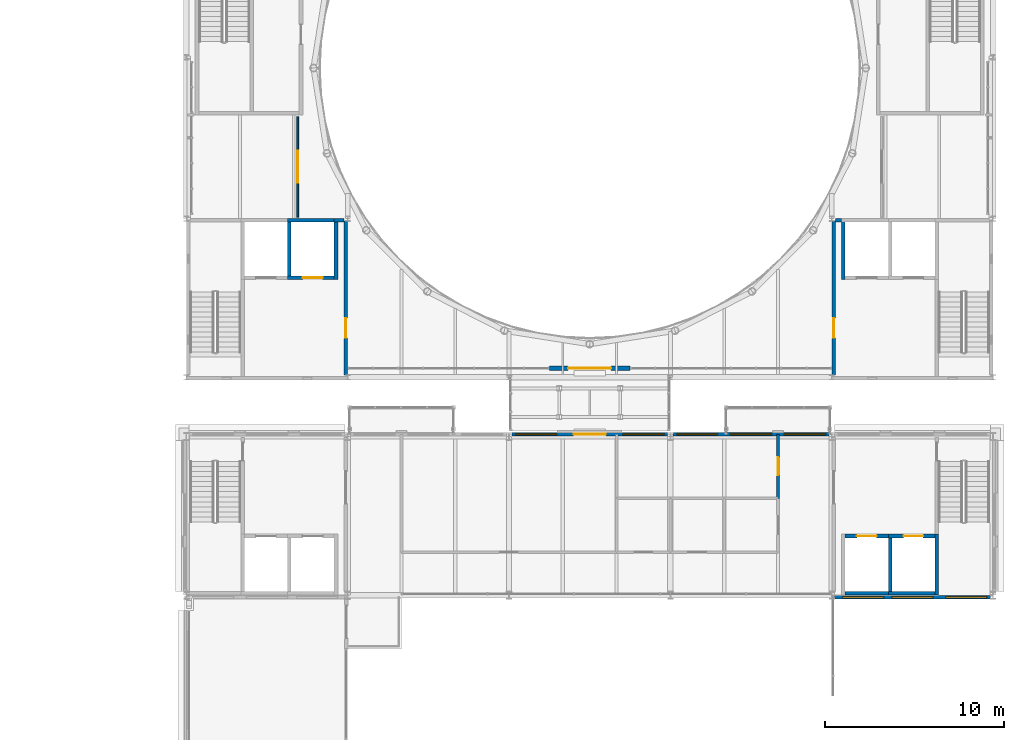
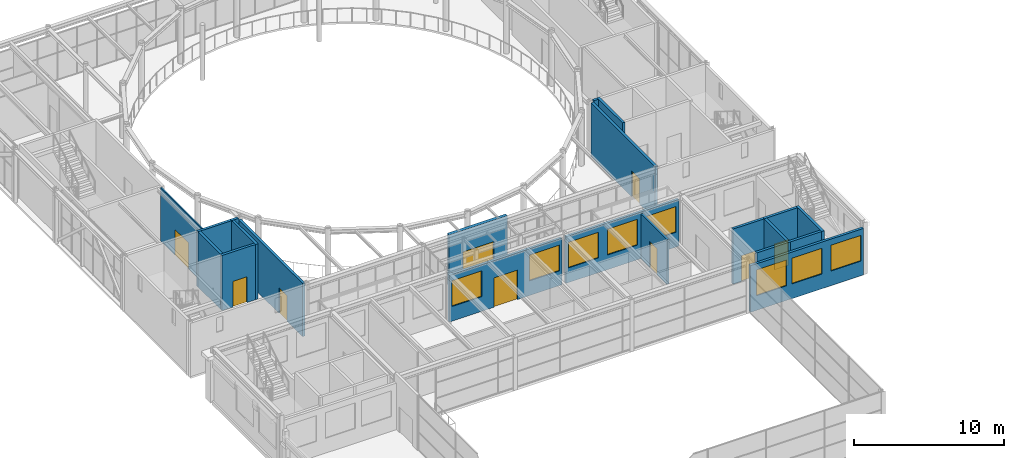
# One storey, part 53 of 70: 21 walls, 9 doors, 8 windows, 17 openings.
"""IFC4 building model written with IfcOpenShell, lengths in metres."""

from ifc_helpers import new_model, si_unit, direction, frame, frame_2d, origin, place, context, subcontext, project, spatial, rectangle, extrude, material, layer, layer_set, type_object, element, fill, save


model = new_model("IFC4")

# Units and contexts
model_context = context("Model", 3, precision=1e-05, world=origin(), true_north=direction((0.0, 1.0)))
body_context = subcontext(model_context, "Body", "Model", "MODEL_VIEW")
ifc_project = project(units=[si_unit("LENGTHUNIT", "METRE"), si_unit("AREAUNIT", "SQUARE_METRE"), si_unit("VOLUMEUNIT", "CUBIC_METRE"), si_unit("PLANEANGLEUNIT", "RADIAN"), si_unit("MASSUNIT", "GRAM", prefix="KILO")], contexts=[model_context])

# Site, building, storey
site_placement = place(None, origin())
site = spatial("IfcSite", under=ifc_project, at=site_placement, CompositionType="ELEMENT")
building_placement = place(site_placement, origin())
building = spatial("IfcBuilding", under=site, at=building_placement, Name="Kallimachos Central Library", CompositionType="ELEMENT")
storey_placement = place(building_placement, frame((0.0, 0.0, 18.89990234375)))
storey = spatial("IfcBuildingStorey", under=building, at=storey_placement, Name="L04", CompositionType="ELEMENT", Elevation=18.89990234375)

# Wall, opening, door
ifc_material_1 = material(Name="Concrete C30/37", Category="concrete")
ifc_layer_1 = layer(ifc_material_1, 0.199951171875)
ifc_layer_set_1 = layer_set([ifc_layer_1], Name="Core wall 200")
wall_type_1 = type_object("IfcWallType", Name="Core wall 200", PredefinedType="SOLIDWALL", material=ifc_layer_set_1)
wall_1_placement = place(storey_placement, frame((74.39990234375, 87.2900390625, 0.0), z_axis=(0.0, 0.0, 1.0), x_axis=(0.0, 1.0, 0.0)))
wall_1 = element("IfcWall", 1, at=wall_1_placement, inside=storey, type_object=wall_type_1, Name="Core wall V1-SW E", PredefinedType="SOLIDWALL", context=body_context, shape_type="SweptSolid", body=[
    extrude(rectangle(XDim=8.570068359375, YDim=0.199951171875, at=frame_2d((4.28515625, 0.0))), origin(), (0.0, 0.0, 1.0), 4.35009765625),
])
opening_1_placement = place(wall_1_placement, frame((2.06005859375, 0.0, 0.0)))
opening_1 = element("IfcOpeningElement", 2, at=opening_1_placement, cuts=wall_1, Name="Opening D224", PredefinedType="OPENING", context=body_context, shape_type="SweptSolid", body=[
    extrude(rectangle(XDim=1.10009765625, YDim=2.10009765625, at=frame_2d((0.550048828125, 1.050048828125))), frame((0.0, 0.10986328125, 0.0), z_axis=(0.0, -1.0, 0.0), x_axis=(1.0, 0.0, 0.0)), (0.0, 0.0, 1.0), 0.219970703125),
])
ifc_material_2 = material(Name="Steel fire door", Category="steel")
door_type_1 = type_object("IfcDoorType", Name="Fire door EI2 90 1100 x 2100", OperationType="NOTDEFINED", PredefinedType="DOOR", material=ifc_material_2)
door_1_placement = place(opening_1_placement, origin())
door_1 = element("IfcDoor", 3, at=door_1_placement, inside=storey, type_object=door_type_1, Name="V1-DOR-L04-006", OperationType="SINGLE_SWING_RIGHT", OverallHeight=2.10009765625, OverallWidth=1.10009765625, PredefinedType="DOOR", context=body_context, shape_type="SweptSolid", body=[
    extrude(rectangle(XDim=1.10009765625, YDim=2.10009765625, at=frame_2d((0.550048828125, 1.050048828125))), frame((0.0, 0.02490234375, 0.0), z_axis=(0.0, -1.0, 0.0), x_axis=(1.0, 0.0, 0.0)), (0.0, 0.0, 1.0), 0.050048828125),
])
fill(opening_1, door_1)

# Wall
wall_2_placement = place(storey_placement, frame((73.75, 95.89990234375, 0.0), z_axis=(0.0, 0.0, 1.0), x_axis=(1.0, 0.0, 0.0)))
element("IfcWall", 4, at=wall_2_placement, inside=storey, type_object=wall_type_1, Name="Core wall V1-SW N", PredefinedType="SOLIDWALL", context=body_context, shape_type="SweptSolid", body=[
    extrude(rectangle(XDim=0.550048828125, YDim=0.199951171875, at=frame_2d((0.27490234375, 0.0))), origin(), (0.0, 0.0, 1.0), 4.5),
])

# Wall, opening, door
wall_3_placement = place(storey_placement, frame((101.60009765625, 87.2900390625, 0.0), z_axis=(0.0, 0.0, 1.0), x_axis=(0.0, 1.0, 0.0)))
wall_3 = element("IfcWall", 5, at=wall_3_placement, inside=storey, type_object=wall_type_1, Name="Core wall V1-SE W", PredefinedType="SOLIDWALL", context=body_context, shape_type="SweptSolid", body=[
    extrude(rectangle(XDim=8.570068359375, YDim=0.199951171875, at=frame_2d((4.28515625, 0.0))), origin(), (0.0, 0.0, 1.0), 4.35009765625),
])
opening_2_placement = place(wall_3_placement, frame((2.06005859375, 0.0, 0.0)))
opening_2 = element("IfcOpeningElement", 6, at=opening_2_placement, cuts=wall_3, Name="Opening D230", PredefinedType="OPENING", context=body_context, shape_type="SweptSolid", body=[
    extrude(rectangle(XDim=1.10009765625, YDim=2.10009765625, at=frame_2d((0.550048828125, 1.050048828125))), frame((0.0, 0.10986328125, 0.0), z_axis=(0.0, -1.0, 0.0), x_axis=(1.0, 0.0, 0.0)), (0.0, 0.0, 1.0), 0.219970703125),
])
door_2_placement = place(opening_2_placement, frame((1.10009765625, 0.0, 0.0), z_axis=(0.0, 0.0, 1.0), x_axis=(-1.0, 0.0, 0.0)))
door_2 = element("IfcDoor", 7, at=door_2_placement, inside=storey, type_object=door_type_1, Name="V1-DOR-L04-007", OperationType="SINGLE_SWING_LEFT", OverallHeight=2.10009765625, OverallWidth=1.10009765625, PredefinedType="DOOR", context=body_context, shape_type="SweptSolid", body=[
    extrude(rectangle(XDim=1.10009765625, YDim=2.10009765625, at=frame_2d((0.550048828125, 1.050048828125))), frame((0.0, 0.02490234375, 0.0), z_axis=(0.0, -1.0, 0.0), x_axis=(1.0, 0.0, 0.0)), (0.0, 0.0, 1.0), 0.050048828125),
])
fill(opening_2, door_2)

# Wall
wall_4_placement = place(storey_placement, frame((101.699951171875, 95.89990234375, 0.0), z_axis=(0.0, 0.0, 1.0), x_axis=(1.0, 0.0, 0.0)))
element("IfcWall", 8, at=wall_4_placement, inside=storey, type_object=wall_type_1, Name="Core wall V1-SE N", PredefinedType="SOLIDWALL", context=body_context, shape_type="SweptSolid", body=[
    extrude(rectangle(XDim=0.35009765625, YDim=0.199951171875, at=frame_2d((0.175048828125, 0.0))), origin(), (0.0, 0.0, 1.0), 4.5),
])

# Wall, opening, door
ifc_material_3 = material(Name="Concrete C30/37", Category="concrete")
ifc_layer_2 = layer(ifc_material_3, 0.199951171875)
ifc_layer_set_2 = layer_set([ifc_layer_2], Name="Lift shaft wall 200")
wall_type_2 = type_object("IfcWallType", Name="Lift shaft wall 200", PredefinedType="SOLIDWALL", material=ifc_layer_set_2)
wall_5_placement = place(storey_placement, frame((104.64990234375, 78.300048828125, 0.0), z_axis=(0.0, 0.0, 1.0), x_axis=(1.0, 0.0, 0.0)))
wall_5 = element("IfcWall", 9, at=wall_5_placement, inside=storey, type_object=wall_type_2, Name="V4-WAL-L04-008", PredefinedType="SOLIDWALL", context=body_context, shape_type="SweptSolid", body=[
    extrude(rectangle(XDim=2.60009765625, YDim=0.199951171875, at=frame_2d((1.300048828125, 0.0))), origin(), (0.0, 0.0, 1.0), 4.5),
])
opening_3_placement = place(wall_5_placement, frame((0.85009765625, 0.0, 0.0)))
opening_3 = element("IfcOpeningElement", 10, at=opening_3_placement, cuts=wall_5, Name="Opening LD1100", PredefinedType="OPENING", context=body_context, shape_type="SweptSolid", body=[
    extrude(rectangle(XDim=1.10009765625, YDim=2.10009765625, at=frame_2d((0.550048828125, 1.050048828125))), frame((0.0, 0.10986328125, 0.0), z_axis=(0.0, -1.0, 0.0), x_axis=(1.0, 0.0, 0.0)), (0.0, 0.0, 1.0), 0.219970703125),
])
ifc_material_4 = material(Name="Stainless steel", Category="steel")
door_type_2 = type_object("IfcDoorType", Name="Lift landing door 1100 x 2100", OperationType="SLIDING_TO_LEFT", PredefinedType="DOOR", material=ifc_material_4)
door_3_placement = place(opening_3_placement, origin())
door_3 = element("IfcDoor", 11, at=door_3_placement, inside=storey, type_object=door_type_2, Name="LF9 landing door L04", OperationType="SLIDING_TO_LEFT", OverallHeight=2.10009765625, OverallWidth=1.10009765625, PredefinedType="DOOR", context=body_context, shape_type="SweptSolid", body=[
    extrude(rectangle(XDim=1.10009765625, YDim=2.10009765625, at=frame_2d((0.550048828125, 1.050048828125))), frame((0.0, 0.02490234375, 0.0), z_axis=(0.0, -1.0, 0.0), x_axis=(1.0, 0.0, 0.0)), (0.0, 0.0, 1.0), 0.050048828125),
])
fill(opening_3, door_3)

# Walls
wall_6_placement = place(storey_placement, frame((104.64990234375, 75.10009765625, 0.0), z_axis=(0.0, 0.0, 1.0), x_axis=(1.0, 0.0, 0.0)))
element("IfcWall", 12, at=wall_6_placement, inside=storey, type_object=wall_type_2, Name="V4-WAL-L04-009", PredefinedType="SOLIDWALL", context=body_context, shape_type="SweptSolid", body=[
    extrude(rectangle(XDim=2.60009765625, YDim=0.199951171875, at=frame_2d((1.300048828125, 0.0))), origin(), (0.0, 0.0, 1.0), 4.5),
])
for number, where, z_axis, x_axis, name in (
    (13, (104.75, 75.0, 0.0), (0.0, 0.0, 1.0), (0.0, 1.0, 0.0), "V4-WAL-L04-010"),
    (14, (107.35009765625, 75.0, 0.0), (0.0, 0.0, 1.0), (0.0, 1.0, 0.0), "V4-WAL-L04-011"),
):
    element("IfcWall", number, at=place(storey_placement, frame(where, z_axis=z_axis, x_axis=x_axis)), inside=storey, type_object=wall_type_2, Name=name, PredefinedType="SOLIDWALL", context=body_context, shape_type="SweptSolid", body=[
        extrude(rectangle(XDim=3.39990234375, YDim=0.199951171875, at=frame_2d((1.699951171875, 0.0))), origin(), (0.0, 0.0, 1.0), 4.5),
    ])

# Wall, opening, door
wall_7_placement = place(storey_placement, frame((102.25, 78.300048828125, 0.0), z_axis=(0.0, 0.0, 1.0), x_axis=(1.0, 0.0, 0.0)))
wall_7 = element("IfcWall", 15, at=wall_7_placement, inside=storey, type_object=wall_type_2, Name="V4-WAL-L04-012", PredefinedType="SOLIDWALL", context=body_context, shape_type="SweptSolid", body=[
    extrude(rectangle(XDim=2.39990234375, YDim=0.199951171875, at=frame_2d((1.199951171875, 0.0))), origin(), (0.0, 0.0, 1.0), 4.5),
])
opening_4_placement = place(wall_7_placement, frame((0.64990234375, 0.0, 0.0)))
opening_4 = element("IfcOpeningElement", 16, at=opening_4_placement, cuts=wall_7, Name="Opening LD1100", PredefinedType="OPENING", context=body_context, shape_type="SweptSolid", body=[
    extrude(rectangle(XDim=1.10009765625, YDim=2.10009765625, at=frame_2d((0.550048828125, 1.050048828125))), frame((0.0, 0.10986328125, 0.0), z_axis=(0.0, -1.0, 0.0), x_axis=(1.0, 0.0, 0.0)), (0.0, 0.0, 1.0), 0.219970703125),
])
door_4_placement = place(opening_4_placement, origin())
door_4 = element("IfcDoor", 17, at=door_4_placement, inside=storey, type_object=door_type_2, Name="LF10 landing door L04", OperationType="SLIDING_TO_LEFT", OverallHeight=2.10009765625, OverallWidth=1.10009765625, PredefinedType="DOOR", context=body_context, shape_type="SweptSolid", body=[
    extrude(rectangle(XDim=1.10009765625, YDim=2.10009765625, at=frame_2d((0.550048828125, 1.050048828125))), frame((0.0, 0.02490234375, 0.0), z_axis=(0.0, -1.0, 0.0), x_axis=(1.0, 0.0, 0.0)), (0.0, 0.0, 1.0), 0.050048828125),
])
fill(opening_4, door_4)

# Walls
wall_8_placement = place(storey_placement, frame((102.25, 75.10009765625, 0.0), z_axis=(0.0, 0.0, 1.0), x_axis=(1.0, 0.0, 0.0)))
element("IfcWall", 18, at=wall_8_placement, inside=storey, type_object=wall_type_2, Name="V4-WAL-L04-013", PredefinedType="SOLIDWALL", context=body_context, shape_type="SweptSolid", body=[
    extrude(rectangle(XDim=2.39990234375, YDim=0.199951171875, at=frame_2d((1.199951171875, 0.0))), origin(), (0.0, 0.0, 1.0), 4.5),
])
wall_9_placement = place(storey_placement, frame((71.25, 92.60009765625, 0.0), z_axis=(0.0, 0.0, 1.0), x_axis=(0.0, 1.0, 0.0)))
element("IfcWall", 19, at=wall_9_placement, inside=storey, type_object=wall_type_2, Name="V1-WAL-L04-004", PredefinedType="SOLIDWALL", context=body_context, shape_type="SweptSolid", body=[
    extrude(rectangle(XDim=3.39990234375, YDim=0.199951171875, at=frame_2d((1.699951171875, 0.0))), origin(), (0.0, 0.0, 1.0), 4.5),
])
wall_10_placement = place(storey_placement, frame((71.14990234375, 95.89990234375, 0.0), z_axis=(0.0, 0.0, 1.0), x_axis=(1.0, 0.0, 0.0)))
element("IfcWall", 20, at=wall_10_placement, inside=storey, type_object=wall_type_2, Name="V1-WAL-L04-005", PredefinedType="SOLIDWALL", context=body_context, shape_type="SweptSolid", body=[
    extrude(rectangle(XDim=2.60009765625, YDim=0.199951171875, at=frame_2d((1.300048828125, 0.0))), origin(), (0.0, 0.0, 1.0), 4.5),
])

# Wall, opening, door
wall_11_placement = place(storey_placement, frame((71.14990234375, 92.699951171875, 0.0), z_axis=(0.0, 0.0, 1.0), x_axis=(1.0, 0.0, 0.0)))
wall_11 = element("IfcWall", 21, at=wall_11_placement, inside=storey, type_object=wall_type_2, Name="V1-WAL-L04-006", PredefinedType="SOLIDWALL", context=body_context, shape_type="SweptSolid", body=[
    extrude(rectangle(XDim=2.60009765625, YDim=0.199951171875, at=frame_2d((1.300048828125, 0.0))), origin(), (0.0, 0.0, 1.0), 4.5),
])
opening_5_placement = place(wall_11_placement, frame((0.85009765625, 0.0, 0.0)))
opening_5 = element("IfcOpeningElement", 22, at=opening_5_placement, cuts=wall_11, Name="Opening LD1100", PredefinedType="OPENING", context=body_context, shape_type="SweptSolid", body=[
    extrude(rectangle(XDim=1.10009765625, YDim=2.10009765625, at=frame_2d((0.550048828125, 1.050048828125))), frame((0.0, 0.10986328125, 0.0), z_axis=(0.0, -1.0, 0.0), x_axis=(1.0, 0.0, 0.0)), (0.0, 0.0, 1.0), 0.219970703125),
])
door_5_placement = place(opening_5_placement, origin())
door_5 = element("IfcDoor", 23, at=door_5_placement, inside=storey, type_object=door_type_2, Name="LF2 landing door L04", OperationType="SLIDING_TO_LEFT", OverallHeight=2.10009765625, OverallWidth=1.10009765625, PredefinedType="DOOR", context=body_context, shape_type="SweptSolid", body=[
    extrude(rectangle(XDim=1.10009765625, YDim=2.10009765625, at=frame_2d((0.550048828125, 1.050048828125))), frame((0.0, 0.02490234375, 0.0), z_axis=(0.0, -1.0, 0.0), x_axis=(1.0, 0.0, 0.0)), (0.0, 0.0, 1.0), 0.050048828125),
])
fill(opening_5, door_5)

# Walls
for number, where, z_axis, x_axis, name in (
    (24, (73.85009765625, 92.60009765625, 0.0), (0.0, 0.0, 1.0), (0.0, 1.0, 0.0), "V1-WAL-L04-007"),
    (25, (102.14990234375, 92.60009765625, 0.0), (0.0, 0.0, 1.0), (0.0, 1.0, 0.0), "V1-WAL-L04-014"),
):
    element("IfcWall", number, at=place(storey_placement, frame(where, z_axis=z_axis, x_axis=x_axis)), inside=storey, type_object=wall_type_2, Name=name, PredefinedType="SOLIDWALL", context=body_context, shape_type="SweptSolid", body=[
        extrude(rectangle(XDim=3.39990234375, YDim=0.199951171875, at=frame_2d((1.699951171875, 0.0))), origin(), (0.0, 0.0, 1.0), 4.5),
    ])

# Wall, opening, door
ifc_material_5 = material(Name="Pentelic marble cladding on blockwork", Category="masonry")
ifc_layer_3 = layer(ifc_material_5, 0.25)
ifc_layer_set_3 = layer_set([ifc_layer_3], Name="Link portal wall 250")
wall_type_3 = type_object("IfcWallType", Name="Link portal wall 250", PredefinedType="SOLIDWALL", material=ifc_layer_set_3)
wall_12_placement = place(storey_placement, frame((85.75, 87.64990234375, 0.0), z_axis=(0.0, 0.0, 1.0), x_axis=(1.0, 0.0, 0.0)))
wall_12 = element("IfcWall", 26, at=wall_12_placement, inside=storey, type_object=wall_type_3, Name="V1-WAL-L04-015", PredefinedType="SOLIDWALL", context=body_context, shape_type="SweptSolid", body=[
    extrude(rectangle(XDim=4.5, YDim=0.25, at=frame_2d((2.25, 0.0))), origin(), (0.0, 0.0, 1.0), 4.150146484375),
])
opening_6_placement = place(wall_12_placement, frame((1.050048828125, 0.0, 0.0)))
opening_6 = element("IfcOpeningElement", 27, at=opening_6_placement, cuts=wall_12, Name="Opening D59", PredefinedType="OPENING", context=body_context, shape_type="SweptSolid", body=[
    extrude(rectangle(XDim=2.39990234375, YDim=2.39990234375, at=frame_2d((1.199951171875, 1.199951171875))), frame((0.0, 0.135009765625, 0.0), z_axis=(0.0, -1.0, 0.0), x_axis=(1.0, 0.0, 0.0)), (0.0, 0.0, 1.0), 0.27001953125),
])
ifc_material_6 = material(Name="Glass and anodised aluminium", Category="aluminium")
door_type_3 = type_object("IfcDoorType", Name="Glazed double door 2400 x 2400", OperationType="DOUBLE_DOOR_SINGLE_SWING", PredefinedType="DOOR", material=ifc_material_6)
door_6_placement = place(opening_6_placement, frame((2.39990234375, 0.0, 0.0), z_axis=(0.0, 0.0, 1.0), x_axis=(-1.0, 0.0, 0.0)))
door_6 = element("IfcDoor", 28, at=door_6_placement, inside=storey, type_object=door_type_3, Name="V1-DOR-L04-005", OperationType="DOUBLE_DOOR_SINGLE_SWING", OverallHeight=2.39990234375, OverallWidth=2.39990234375, PredefinedType="DOOR", context=body_context, shape_type="SweptSolid", body=[
    extrude(rectangle(XDim=2.39990234375, YDim=2.39990234375, at=frame_2d((1.199951171875, 1.199951171875))), frame((0.0, 0.02490234375, 0.0), z_axis=(0.0, -1.0, 0.0), x_axis=(1.0, 0.0, 0.0)), (0.0, 0.0, 1.0), 0.050048828125),
])
fill(opening_6, door_6)

ifc_material_7 = material(Name="Plasterboard on steel studs", Category="steel")
ifc_layer_4 = layer(ifc_material_7, 0.10009765625)
ifc_layer_set_4 = layer_set([ifc_layer_4], Name="Partition 100")
wall_type_4 = type_object("IfcWallType", Name="Partition 100", PredefinedType="PARTITIONING", material=ifc_layer_set_4)
wall_13_placement = place(storey_placement, frame((71.719970703125, 101.695068359375, 0.0), z_axis=(0.0, 0.0, 1.0), x_axis=(0.0, -1.0, 0.0)))
wall_13 = element("IfcWall", 29, at=wall_13_placement, inside=storey, type_object=wall_type_4, Name="Partition", PredefinedType="PARTITIONING", context=body_context, shape_type="SweptSolid", body=[
    extrude(rectangle(XDim=5.614990234375, YDim=0.10009765625, at=frame_2d((2.8076171875, 0.0))), origin(), (0.0, 0.0, 1.0), 4.35009765625),
])
opening_7_placement = place(wall_13_placement, frame((1.907470703125, 0.0, 0.0)))
opening_7 = element("IfcOpeningElement", 30, at=opening_7_placement, cuts=wall_13, Name="Opening D280", PredefinedType="OPENING", context=body_context, shape_type="SweptSolid", body=[
    extrude(rectangle(XDim=1.800048828125, YDim=2.10009765625, at=frame_2d((0.89990234375, 1.050048828125))), frame((0.0, 0.06005859375, 0.0), z_axis=(0.0, -1.0, 0.0), x_axis=(1.0, 0.0, 0.0)), (0.0, 0.0, 1.0), 0.1201171875),
])
ifc_material_8 = material(Name="Oak veneered door leaf")
door_type_4 = type_object("IfcDoorType", Name="Double leaf door EI2 30 1800 x 2100", OperationType="DOUBLE_DOOR_SINGLE_SWING", PredefinedType="DOOR", material=ifc_material_8)
door_7_placement = place(opening_7_placement, origin())
door_7 = element("IfcDoor", 31, at=door_7_placement, inside=storey, type_object=door_type_4, Name="V1-DOR-L04-010", OperationType="DOUBLE_DOOR_SINGLE_SWING", OverallHeight=2.10009765625, OverallWidth=1.800048828125, PredefinedType="DOOR", context=body_context, shape_type="SweptSolid", body=[
    extrude(rectangle(XDim=1.800048828125, YDim=2.10009765625, at=frame_2d((0.89990234375, 1.050048828125))), frame((0.0, 0.02490234375, 0.0), z_axis=(0.0, -1.0, 0.0), x_axis=(1.0, 0.0, 0.0)), (0.0, 0.0, 1.0), 0.050048828125),
])
fill(opening_7, door_7)

ifc_material_9 = material(Name="Gypsum board on steel studs", Category="steel")
ifc_layer_5 = layer(ifc_material_9, 0.14990234375)
ifc_layer_set_5 = layer_set([ifc_layer_5], Name="Partition wall 150")
wall_type_5 = type_object("IfcWallType", Name="Partition wall 150", PredefinedType="PARTITIONING", material=ifc_layer_set_5)
wall_14_placement = place(storey_placement, frame((98.5, 80.39990234375, 0.0), z_axis=(0.0, 0.0, 1.0), x_axis=(0.0, 1.0, 0.0)))
wall_14 = element("IfcWall", 32, at=wall_14_placement, inside=storey, type_object=wall_type_5, Name="L04 partition", PredefinedType="PARTITIONING", context=body_context, shape_type="SweptSolid", body=[
    extrude(rectangle(XDim=3.550048828125, YDim=0.14990234375, at=frame_2d((1.77490234375, 0.0))), origin(), (0.0, 0.0, 1.0), 3.650146484375),
])
opening_8_placement = place(wall_14_placement, frame((1.300048828125, 0.0, 0.0)))
opening_8 = element("IfcOpeningElement", 33, at=opening_8_placement, cuts=wall_14, Name="Opening D218", PredefinedType="OPENING", context=body_context, shape_type="SweptSolid", body=[
    extrude(rectangle(XDim=1.0, YDim=2.10009765625, at=frame_2d((0.5, 1.050048828125))), frame((0.0, 0.0849609375, 0.0), z_axis=(0.0, -1.0, 0.0), x_axis=(1.0, 0.0, 0.0)), (0.0, 0.0, 1.0), 0.169921875),
])
ifc_material_10 = material(Name="Timber", Category="wood")
door_type_5 = type_object("IfcDoorType", Name="Single leaf door 1000 x 2100, EI2 30", OperationType="NOTDEFINED", PredefinedType="DOOR", material=ifc_material_10)
door_8_placement = place(opening_8_placement, origin())
door_8 = element("IfcDoor", 34, at=door_8_placement, inside=storey, type_object=door_type_5, Name="L04 door Reading Gallery Room", OperationType="SINGLE_SWING_LEFT", OverallHeight=2.10009765625, OverallWidth=1.0, PredefinedType="DOOR", context=body_context, shape_type="SweptSolid", body=[
    extrude(rectangle(XDim=1.0, YDim=2.10009765625, at=frame_2d((0.5, 1.050048828125))), frame((0.0, 0.02490234375, 0.0), z_axis=(0.0, -1.0, 0.0), x_axis=(1.0, 0.0, 0.0)), (0.0, 0.0, 1.0), 0.050048828125),
])
fill(opening_8, door_8)

# Wall, openings, door, windows
ifc_material_11 = material(Name="Brick masonry with Pentelic marble cladding", Category="masonry")
ifc_layer_6 = layer(ifc_material_11, 0.199951171875)
ifc_layer_set_6 = layer_set([ifc_layer_6], Name="Stone-clad masonry wall 200")
wall_type_6 = type_object("IfcWallType", Name="Stone-clad masonry wall 200", PredefinedType="SOLIDWALL", material=ifc_layer_set_6)
wall_15_placement = place(storey_placement, frame((83.653564453125, 83.966064453125, 0.0), z_axis=(0.0, 0.0, 1.0), x_axis=(1.0, 0.0, 0.0)))
wall_15 = element("IfcWall", 35, at=wall_15_placement, inside=storey, type_object=wall_type_6, Name="V4-WAL-L04-017", PredefinedType="SOLIDWALL", context=body_context, shape_type="SweptSolid", body=[
    extrude(rectangle(XDim=8.69287109375, YDim=0.199951171875, at=frame_2d((4.346435546875, 0.0))), origin(), (0.0, 0.0, 1.0), 3.800048828125),
])
opening_9_placement = place(wall_15_placement, frame((3.446533203125, 0.0, 0.0)))
opening_9 = element("IfcOpeningElement", 36, at=opening_9_placement, cuts=wall_15, Name="Opening D36", PredefinedType="OPENING", context=body_context, shape_type="SweptSolid", body=[
    extrude(rectangle(XDim=1.800048828125, YDim=2.39990234375, at=frame_2d((0.89990234375, 1.199951171875))), frame((0.0, 0.10986328125, 0.0), z_axis=(0.0, -1.0, 0.0), x_axis=(1.0, 0.0, 0.0)), (0.0, 0.0, 1.0), 0.219970703125),
])
opening_10_placement = place(wall_15_placement, frame((0.196533203125, 0.0, 1.199951171875)))
opening_10 = element("IfcOpeningElement", 37, at=opening_10_placement, cuts=wall_15, Name="Opening WN162", PredefinedType="OPENING", context=body_context, shape_type="SweptSolid", body=[
    extrude(rectangle(XDim=2.300048828125, YDim=2.10009765625, at=frame_2d((1.14990234375, 1.050048828125))), frame((0.0, 0.10986328125, 0.0), z_axis=(0.0, -1.0, 0.0), x_axis=(1.0, 0.0, 0.0)), (0.0, 0.0, 1.0), 0.219970703125),
])
opening_11_placement = place(wall_15_placement, frame((6.196533203125, 0.0, 1.199951171875)))
opening_11 = element("IfcOpeningElement", 38, at=opening_11_placement, cuts=wall_15, Name="Opening WN162", PredefinedType="OPENING", context=body_context, shape_type="SweptSolid", body=[
    extrude(rectangle(XDim=2.300048828125, YDim=2.10009765625, at=frame_2d((1.14990234375, 1.050048828125))), frame((0.0, 0.10986328125, 0.0), z_axis=(0.0, -1.0, 0.0), x_axis=(1.0, 0.0, 0.0)), (0.0, 0.0, 1.0), 0.219970703125),
])
ifc_material_12 = material(Name="Anodised aluminium and laminated glass", Category="aluminium")
door_type_6 = type_object("IfcDoorType", Name="Link door 1800 x 2400", OperationType="DOUBLE_DOOR_SINGLE_SWING", PredefinedType="DOOR", material=ifc_material_12)
door_9_placement = place(opening_9_placement, origin())
door_9 = element("IfcDoor", 39, at=door_9_placement, inside=storey, type_object=door_type_6, Name="Link Door K2", OperationType="DOUBLE_DOOR_SINGLE_SWING", OverallHeight=2.39990234375, OverallWidth=1.800048828125, PredefinedType="DOOR", context=body_context, shape_type="SweptSolid", body=[
    extrude(rectangle(XDim=1.800048828125, YDim=2.39990234375, at=frame_2d((0.89990234375, 1.199951171875))), frame((0.0, 0.02490234375, 0.0), z_axis=(0.0, -1.0, 0.0), x_axis=(1.0, 0.0, 0.0)), (0.0, 0.0, 1.0), 0.050048828125),
])
fill(opening_9, door_9)
ifc_material_13 = material(Name="Anodised aluminium and laminated glass", Category="aluminium")
window_type = type_object("IfcWindowType", Name="Window 2300 x 2100", PartitioningType="DOUBLE_PANEL_VERTICAL", PredefinedType="WINDOW", material=ifc_material_13)
window_1_placement = place(opening_10_placement, origin())
window_1 = element("IfcWindow", 40, at=window_1_placement, inside=storey, type_object=window_type, Name="V4-WIN-L04-007", OverallHeight=2.10009765625, OverallWidth=2.300048828125, PartitioningType="SINGLE_PANEL", PredefinedType="WINDOW", context=body_context, shape_type="SweptSolid", body=[
    extrude(rectangle(XDim=2.300048828125, YDim=2.10009765625, at=frame_2d((1.14990234375, 1.050048828125))), frame((0.0, 0.030029296875, 0.0), z_axis=(0.0, -1.0, 0.0), x_axis=(1.0, 0.0, 0.0)), (0.0, 0.0, 1.0), 0.06005859375),
])
fill(opening_10, window_1)
window_2_placement = place(opening_11_placement, origin())
window_2 = element("IfcWindow", 41, at=window_2_placement, inside=storey, type_object=window_type, Name="V4-WIN-L04-008", OverallHeight=2.10009765625, OverallWidth=2.300048828125, PartitioningType="SINGLE_PANEL", PredefinedType="WINDOW", context=body_context, shape_type="SweptSolid", body=[
    extrude(rectangle(XDim=2.300048828125, YDim=2.10009765625, at=frame_2d((1.14990234375, 1.050048828125))), frame((0.0, 0.030029296875, 0.0), z_axis=(0.0, -1.0, 0.0), x_axis=(1.0, 0.0, 0.0)), (0.0, 0.0, 1.0), 0.06005859375),
])
fill(opening_11, window_2)

# Wall, openings, windows
wall_16_placement = place(storey_placement, frame((92.653564453125, 83.966064453125, 0.0), z_axis=(0.0, 0.0, 1.0), x_axis=(1.0, 0.0, 0.0)))
wall_16 = element("IfcWall", 42, at=wall_16_placement, inside=storey, type_object=wall_type_6, Name="V4-WAL-L04-018", PredefinedType="SOLIDWALL", context=body_context, shape_type="SweptSolid", body=[
    extrude(rectangle(XDim=8.69287109375, YDim=0.199951171875, at=frame_2d((4.346435546875, 0.0))), origin(), (0.0, 0.0, 1.0), 3.800048828125),
])
opening_12_placement = place(wall_16_placement, frame((0.196533203125, 0.0, 1.199951171875)))
opening_12 = element("IfcOpeningElement", 43, at=opening_12_placement, cuts=wall_16, Name="Opening WN162", PredefinedType="OPENING", context=body_context, shape_type="SweptSolid", body=[
    extrude(rectangle(XDim=2.300048828125, YDim=2.10009765625, at=frame_2d((1.14990234375, 1.050048828125))), frame((0.0, 0.10986328125, 0.0), z_axis=(0.0, -1.0, 0.0), x_axis=(1.0, 0.0, 0.0)), (0.0, 0.0, 1.0), 0.219970703125),
])
opening_13_placement = place(wall_16_placement, frame((3.196533203125, 0.0, 1.199951171875)))
opening_13 = element("IfcOpeningElement", 44, at=opening_13_placement, cuts=wall_16, Name="Opening WN162", PredefinedType="OPENING", context=body_context, shape_type="SweptSolid", body=[
    extrude(rectangle(XDim=2.300048828125, YDim=2.10009765625, at=frame_2d((1.14990234375, 1.050048828125))), frame((0.0, 0.10986328125, 0.0), z_axis=(0.0, -1.0, 0.0), x_axis=(1.0, 0.0, 0.0)), (0.0, 0.0, 1.0), 0.219970703125),
])
opening_14_placement = place(wall_16_placement, frame((6.196533203125, 0.0, 1.199951171875)))
opening_14 = element("IfcOpeningElement", 45, at=opening_14_placement, cuts=wall_16, Name="Opening WN162", PredefinedType="OPENING", context=body_context, shape_type="SweptSolid", body=[
    extrude(rectangle(XDim=2.300048828125, YDim=2.10009765625, at=frame_2d((1.14990234375, 1.050048828125))), frame((0.0, 0.10986328125, 0.0), z_axis=(0.0, -1.0, 0.0), x_axis=(1.0, 0.0, 0.0)), (0.0, 0.0, 1.0), 0.219970703125),
])
window_3_placement = place(opening_12_placement, origin())
window_3 = element("IfcWindow", 46, at=window_3_placement, inside=storey, type_object=window_type, Name="V4-WIN-L04-009", OverallHeight=2.10009765625, OverallWidth=2.300048828125, PartitioningType="SINGLE_PANEL", PredefinedType="WINDOW", context=body_context, shape_type="SweptSolid", body=[
    extrude(rectangle(XDim=2.300048828125, YDim=2.10009765625, at=frame_2d((1.14990234375, 1.050048828125))), frame((0.0, 0.030029296875, 0.0), z_axis=(0.0, -1.0, 0.0), x_axis=(1.0, 0.0, 0.0)), (0.0, 0.0, 1.0), 0.06005859375),
])
fill(opening_12, window_3)
window_4_placement = place(opening_13_placement, origin())
window_4 = element("IfcWindow", 47, at=window_4_placement, inside=storey, type_object=window_type, Name="V4-WIN-L04-010", OverallHeight=2.10009765625, OverallWidth=2.300048828125, PartitioningType="SINGLE_PANEL", PredefinedType="WINDOW", context=body_context, shape_type="SweptSolid", body=[
    extrude(rectangle(XDim=2.300048828125, YDim=2.10009765625, at=frame_2d((1.14990234375, 1.050048828125))), frame((0.0, 0.030029296875, 0.0), z_axis=(0.0, -1.0, 0.0), x_axis=(1.0, 0.0, 0.0)), (0.0, 0.0, 1.0), 0.06005859375),
])
fill(opening_13, window_4)
window_5_placement = place(opening_14_placement, origin())
window_5 = element("IfcWindow", 48, at=window_5_placement, inside=storey, type_object=window_type, Name="V4-WIN-L04-011", OverallHeight=2.10009765625, OverallWidth=2.300048828125, PartitioningType="SINGLE_PANEL", PredefinedType="WINDOW", context=body_context, shape_type="SweptSolid", body=[
    extrude(rectangle(XDim=2.300048828125, YDim=2.10009765625, at=frame_2d((1.14990234375, 1.050048828125))), frame((0.0, 0.030029296875, 0.0), z_axis=(0.0, -1.0, 0.0), x_axis=(1.0, 0.0, 0.0)), (0.0, 0.0, 1.0), 0.06005859375),
])
fill(opening_14, window_5)

ifc_material_14 = material(Name="Brick masonry with Pentelic marble cladding", Category="masonry")
ifc_layer_7 = layer(ifc_material_14, 0.199951171875)
ifc_layer_set_7 = layer_set([ifc_layer_7], Name="Stone-clad masonry wall 200, load-bearing")
wall_type_7 = type_object("IfcWallType", Name="Stone-clad masonry wall 200, load-bearing", PredefinedType="SOLIDWALL", material=ifc_layer_set_7)
wall_17_placement = place(storey_placement, frame((101.653564453125, 74.884033203125, 0.0), z_axis=(0.0, 0.0, 1.0), x_axis=(1.0, 0.0, 0.0)))
wall_17 = element("IfcWall", 49, at=wall_17_placement, inside=storey, type_object=wall_type_7, Name="V4-WAL-L04-023", PredefinedType="SOLIDWALL", context=body_context, shape_type="SweptSolid", body=[
    extrude(rectangle(XDim=8.69287109375, YDim=0.199951171875, at=frame_2d((4.346435546875, 0.0))), origin(), (0.0, 0.0, 1.0), 3.800048828125),
])
opening_15_placement = place(wall_17_placement, frame((0.446533203125, 0.0, 1.199951171875)))
opening_15 = element("IfcOpeningElement", 50, at=opening_15_placement, cuts=wall_17, Name="Opening WN162", PredefinedType="OPENING", context=body_context, shape_type="SweptSolid", body=[
    extrude(rectangle(XDim=2.300048828125, YDim=2.10009765625, at=frame_2d((1.14990234375, 1.050048828125))), frame((0.0, 0.10986328125, 0.0), z_axis=(0.0, -1.0, 0.0), x_axis=(1.0, 0.0, 0.0)), (0.0, 0.0, 1.0), 0.219970703125),
])
opening_16_placement = place(wall_17_placement, frame((3.196533203125, 0.0, 1.199951171875)))
opening_16 = element("IfcOpeningElement", 51, at=opening_16_placement, cuts=wall_17, Name="Opening WN162", PredefinedType="OPENING", context=body_context, shape_type="SweptSolid", body=[
    extrude(rectangle(XDim=2.300048828125, YDim=2.10009765625, at=frame_2d((1.14990234375, 1.050048828125))), frame((0.0, 0.10986328125, 0.0), z_axis=(0.0, -1.0, 0.0), x_axis=(1.0, 0.0, 0.0)), (0.0, 0.0, 1.0), 0.219970703125),
])
opening_17_placement = place(wall_17_placement, frame((6.196533203125, 0.0, 1.199951171875)))
opening_17 = element("IfcOpeningElement", 52, at=opening_17_placement, cuts=wall_17, Name="Opening WN162", PredefinedType="OPENING", context=body_context, shape_type="SweptSolid", body=[
    extrude(rectangle(XDim=2.300048828125, YDim=2.10009765625, at=frame_2d((1.14990234375, 1.050048828125))), frame((0.0, 0.10986328125, 0.0), z_axis=(0.0, -1.0, 0.0), x_axis=(1.0, 0.0, 0.0)), (0.0, 0.0, 1.0), 0.219970703125),
])
window_6_placement = place(opening_15_placement, origin())
window_6 = element("IfcWindow", 53, at=window_6_placement, inside=storey, type_object=window_type, Name="V4-WIN-L04-022", OverallHeight=2.10009765625, OverallWidth=2.300048828125, PartitioningType="SINGLE_PANEL", PredefinedType="WINDOW", context=body_context, shape_type="SweptSolid", body=[
    extrude(rectangle(XDim=2.300048828125, YDim=2.10009765625, at=frame_2d((1.14990234375, 1.050048828125))), frame((0.0, 0.030029296875, 0.0), z_axis=(0.0, -1.0, 0.0), x_axis=(1.0, 0.0, 0.0)), (0.0, 0.0, 1.0), 0.06005859375),
])
fill(opening_15, window_6)
window_7_placement = place(opening_16_placement, origin())
window_7 = element("IfcWindow", 54, at=window_7_placement, inside=storey, type_object=window_type, Name="V4-WIN-L04-023", OverallHeight=2.10009765625, OverallWidth=2.300048828125, PartitioningType="SINGLE_PANEL", PredefinedType="WINDOW", context=body_context, shape_type="SweptSolid", body=[
    extrude(rectangle(XDim=2.300048828125, YDim=2.10009765625, at=frame_2d((1.14990234375, 1.050048828125))), frame((0.0, 0.030029296875, 0.0), z_axis=(0.0, -1.0, 0.0), x_axis=(1.0, 0.0, 0.0)), (0.0, 0.0, 1.0), 0.06005859375),
])
fill(opening_16, window_7)
window_8_placement = place(opening_17_placement, origin())
window_8 = element("IfcWindow", 55, at=window_8_placement, inside=storey, type_object=window_type, Name="V4-WIN-L04-024", OverallHeight=2.10009765625, OverallWidth=2.300048828125, PartitioningType="SINGLE_PANEL", PredefinedType="WINDOW", context=body_context, shape_type="SweptSolid", body=[
    extrude(rectangle(XDim=2.300048828125, YDim=2.10009765625, at=frame_2d((1.14990234375, 1.050048828125))), frame((0.0, 0.030029296875, 0.0), z_axis=(0.0, -1.0, 0.0), x_axis=(1.0, 0.0, 0.0)), (0.0, 0.0, 1.0), 0.06005859375),
])
fill(opening_17, window_8)

save(model, "model.ifc")
